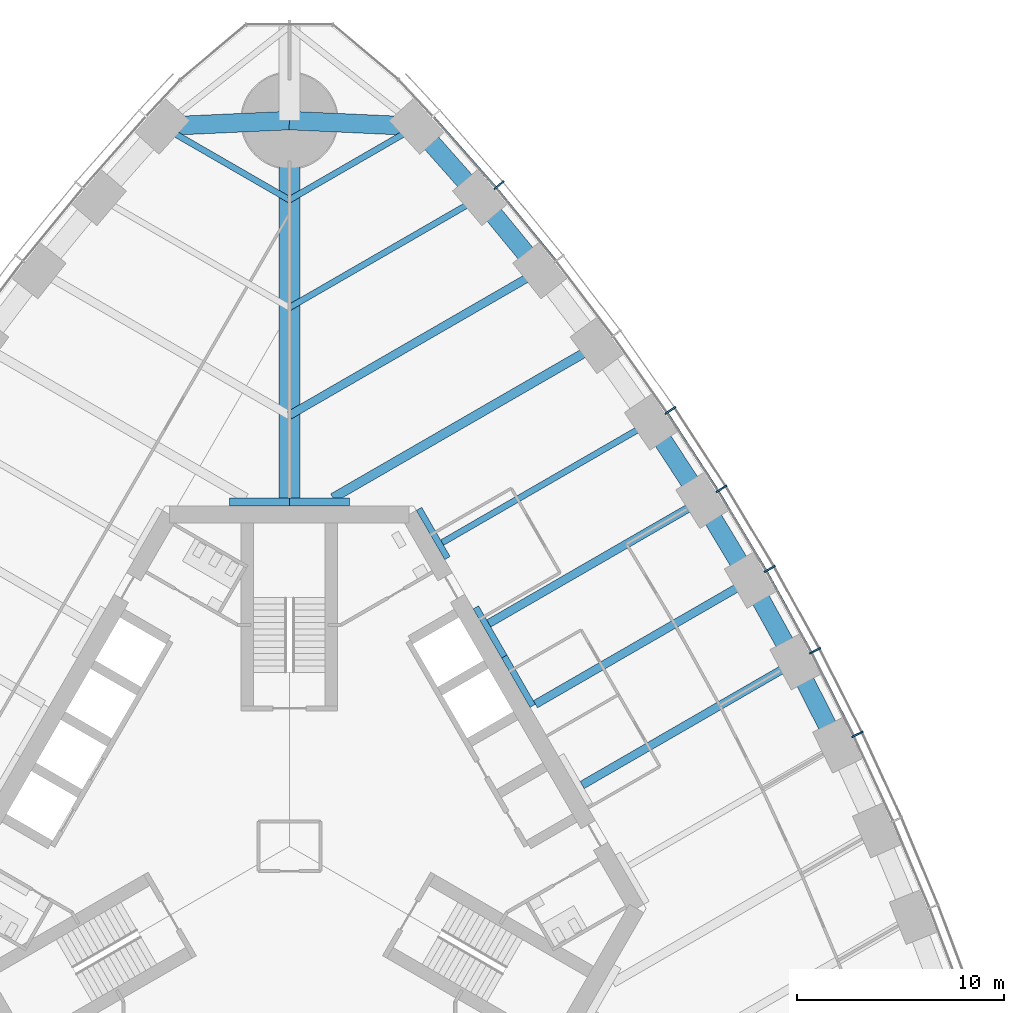
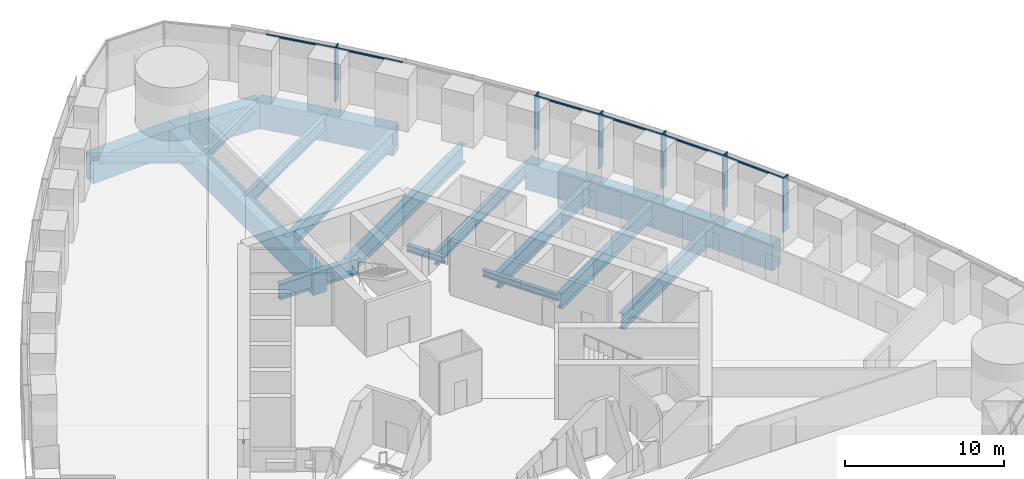
# One storey, part 5 of 18: 23 beams, 12 members, 1 element without a shape of its own.
"""IFC4 building model written with IfcOpenShell, lengths in metres."""

from ifc_helpers import new_model, si_unit, direction, frame, origin, origin_2d, place, context, subcontext, project, spatial, rectangle, i_section, extrude, material, material_profile, profile_set, type_object, element, aggregate, save


model = new_model("IFC4")

# Units and contexts
model_context = context("Model", 3, precision=1e-05, world=origin(), true_north=direction((0.0, 1.0)))
body_context = subcontext(model_context, "Body", "Model", "MODEL_VIEW")
ifc_project = project(units=[si_unit("LENGTHUNIT", "METRE"), si_unit("AREAUNIT", "SQUARE_METRE"), si_unit("VOLUMEUNIT", "CUBIC_METRE"), si_unit("PLANEANGLEUNIT", "RADIAN"), si_unit("MASSUNIT", "GRAM", prefix="KILO")], contexts=[model_context])

# Site, building, storey
site_placement = place(None, origin())
site = spatial("IfcSite", under=ifc_project, at=site_placement, CompositionType="ELEMENT")
building_placement = place(site_placement, origin())
building = spatial("IfcBuilding", under=site, at=building_placement, Name="Trefoil Bronze Tower", CompositionType="ELEMENT")
storey_placement = place(building_placement, frame((0.0, 0.0, 111.5)))
storey = spatial("IfcBuildingStorey", under=building, at=storey_placement, Name="L25", CompositionType="ELEMENT", Elevation=111.5)

# Curtain wall, members
ifc_material_1 = material(Name="Tinted solar-control glass", Category="glass")
curtain_wall_type = type_object("IfcCurtainWallType", Name="Bronze office curtain wall", PredefinedType="USERDEFINED", material=ifc_material_1)
curtain_wall_placement = place(storey_placement, origin())
curtain_wall = element("IfcCurtainWall", 1, at=curtain_wall_placement, inside=storey, type_object=curtain_wall_type, Name="CW-A L25 F2", ObjectType="CURTAIN WALL", PredefinedType="USERDEFINED")
ifc_material_2 = material(Name="Bronze-finish aluminium", Category="aluminium")
ifc_material_profile_1 = material_profile(ifc_material_2, rectangle(XDim=0.60009765625, YDim=0.080078125, at=origin_2d()), Name="CW-A mullion")
ifc_profile_set_1 = profile_set([ifc_material_profile_1], Name="Bronze-finish aluminium")
member_type_1 = type_object("IfcMemberType", Name="Bronze office curtain wall mullion", PredefinedType="MULLION", material=ifc_profile_set_1)
member_1_placement = place(storey_placement, frame((27.394775390625, 5.399169921875, 0.0), z_axis=(0.0, 0.0, 1.0), x_axis=(-0.899819602033, -0.436262173236, 0.0)))
member_1 = element("IfcMember", 2, at=member_1_placement, type_object=member_type_1, Name="CW-A L25 F2 mullion 6", PredefinedType="MULLION", context=body_context, shape_type="SweptSolid", body=[
    extrude(rectangle(XDim=0.60009765625, YDim=0.080078125, at=origin_2d()), origin(), (0.0, 0.0, 1.0), 4.179931640625),
])
member_2_placement = place(storey_placement, frame((25.350830078125, 9.427734375, 0.0), z_axis=(0.0, 0.0, 1.0), x_axis=(-0.883486441467, -0.468456729853, 0.0)))
member_2 = element("IfcMember", 3, at=member_2_placement, type_object=member_type_1, Name="CW-A L25 F2 mullion 7", PredefinedType="MULLION", context=body_context, shape_type="SweptSolid", body=[
    extrude(rectangle(XDim=0.60009765625, YDim=0.080078125, at=origin_2d()), origin(), (0.0, 0.0, 1.0), 4.179931640625),
])
member_3_placement = place(storey_placement, frame((23.166015625, 13.374755859375, 0.0), z_axis=(0.0, 0.0, 1.0), x_axis=(-0.866025403784, -0.5, 0.0)))
member_3 = element("IfcMember", 4, at=member_3_placement, type_object=member_type_1, Name="CW-A L25 F2 mullion 8", PredefinedType="MULLION", context=body_context, shape_type="SweptSolid", body=[
    extrude(rectangle(XDim=0.60009765625, YDim=0.080078125, at=origin_2d()), origin(), (0.0, 0.0, 1.0), 4.179931640625),
])
member_4_placement = place(storey_placement, frame((20.840087890625, 17.24072265625, 0.0), z_axis=(0.0, 0.0, 1.0), x_axis=(-0.84743864936, -0.530893337283, 0.0)))
member_4 = element("IfcMember", 5, at=member_4_placement, type_object=member_type_1, Name="CW-A L25 F2 mullion 9", PredefinedType="MULLION", context=body_context, shape_type="SweptSolid", body=[
    extrude(rectangle(XDim=0.60009765625, YDim=0.080078125, at=origin_2d()), origin(), (0.0, 0.0, 1.0), 4.179931640625),
])
member_5_placement = place(storey_placement, frame((18.373046875, 21.025146484375, 0.0), z_axis=(0.0, 0.0, 1.0), x_axis=(-0.827723925749, -0.561135547566, 0.0)))
member_5 = element("IfcMember", 6, at=member_5_placement, type_object=member_type_1, Name="CW-A L25 F2 mullion 10", PredefinedType="MULLION", context=body_context, shape_type="SweptSolid", body=[
    extrude(rectangle(XDim=0.60009765625, YDim=0.080078125, at=origin_2d()), origin(), (0.0, 0.0, 1.0), 4.179931640625),
])
member_6_placement = place(storey_placement, frame((10.11474609375, 31.8828125, 0.0), z_axis=(0.0, 0.0, 1.0), x_axis=(-0.761721651066, -0.647904411389, 0.0)))
member_6 = element("IfcMember", 7, at=member_6_placement, type_object=member_type_1, Name="CW-A L25 F2 mullion 13", PredefinedType="MULLION", context=body_context, shape_type="SweptSolid", body=[
    extrude(rectangle(XDim=0.60009765625, YDim=0.080078125, at=origin_2d()), origin(), (0.0, 0.0, 1.0), 4.179931640625),
])
ifc_material_3 = material(Name="Bronze-finish aluminium", Category="aluminium")
ifc_material_profile_2 = material_profile(ifc_material_3, rectangle(XDim=0.1201171875, YDim=0.10009765625, at=origin_2d()), Name="CW-A transom")
ifc_profile_set_2 = profile_set([ifc_material_profile_2], Name="Bronze-finish aluminium")
member_type_2 = type_object("IfcMemberType", Name="Bronze office curtain wall transom", PredefinedType="USERDEFINED", material=ifc_profile_set_2)
member_7_placement = place(storey_placement, frame((27.196044921875, 5.34912109375, 4.1298828125), z_axis=(-0.452478489814, 0.891775317138, 0.0), x_axis=(-0.891775317138, -0.452478489814, 0.0)))
member_7 = element("IfcMember", 8, at=member_7_placement, type_object=member_type_2, Name="CW-A L25 F2 transom 6", ObjectType="TRANSOM", PredefinedType="USERDEFINED", context=body_context, shape_type="SweptSolid", body=[
    extrude(rectangle(XDim=0.1201171875, YDim=0.10009765625, at=origin_2d()), origin(), (0.0, 0.0, 1.0), 4.426513671875),
])
member_8_placement = place(storey_placement, frame((25.154052734375, 9.37060546875, 4.1298828125), z_axis=(-0.484329470343, 0.874885686337, 0.0), x_axis=(-0.874885686337, -0.484329470343, 0.0)))
member_8 = element("IfcMember", 9, at=member_8_placement, type_object=member_type_2, Name="CW-A L25 F2 transom 7", ObjectType="TRANSOM", PredefinedType="USERDEFINED", context=body_context, shape_type="SweptSolid", body=[
    extrude(rectangle(XDim=0.1201171875, YDim=0.10009765625, at=origin_2d()), origin(), (0.0, 0.0, 1.0), 4.4208984375),
])
member_9_placement = place(storey_placement, frame((22.97119140625, 13.310546875, 4.1298828125), z_axis=(-0.515526794174, 0.856873458854, 0.0), x_axis=(-0.856873458854, -0.515526794174, 0.0)))
member_9 = element("IfcMember", 10, at=member_9_placement, type_object=member_type_2, Name="CW-A L25 F2 transom 8", ObjectType="TRANSOM", PredefinedType="USERDEFINED", context=body_context, shape_type="SweptSolid", body=[
    extrude(rectangle(XDim=0.1201171875, YDim=0.10009765625, at=origin_2d()), origin(), (0.0, 0.0, 1.0), 4.4208984375),
])
member_10_placement = place(storey_placement, frame((20.647705078125, 17.16943359375, 4.1298828125), z_axis=(-0.546079336226, 0.837733465099, 0.0), x_axis=(-0.837733465099, -0.546079336226, 0.0)))
member_10 = element("IfcMember", 11, at=member_10_placement, type_object=member_type_2, Name="CW-A L25 F2 transom 9", ObjectType="TRANSOM", PredefinedType="USERDEFINED", context=body_context, shape_type="SweptSolid", body=[
    extrude(rectangle(XDim=0.1201171875, YDim=0.10009765625, at=origin_2d()), origin(), (0.0, 0.0, 1.0), 4.426513671875),
])
member_11_placement = place(storey_placement, frame((12.82861328125, 28.255615234375, 4.1298828125), z_axis=(-0.633848872297, 0.773456919995, 0.0), x_axis=(-0.773456919995, -0.633848872297, 0.0)))
member_11 = element("IfcMember", 12, at=member_11_placement, type_object=member_type_2, Name="CW-A L25 F2 transom 12", ObjectType="TRANSOM", PredefinedType="USERDEFINED", context=body_context, shape_type="SweptSolid", body=[
    extrude(rectangle(XDim=0.1201171875, YDim=0.10009765625, at=origin_2d()), origin(), (0.0, 0.0, 1.0), 4.480224609375),
])
member_12_placement = place(storey_placement, frame((9.9345703125, 31.78466796875, 4.1298828125), z_axis=(-0.66173618877, 0.749736764786, 0.0), x_axis=(-0.749736764786, -0.66173618877, 0.0)))
member_12 = element("IfcMember", 13, at=member_12_placement, type_object=member_type_2, Name="CW-A L25 F2 transom 13", ObjectType="TRANSOM", PredefinedType="USERDEFINED", context=body_context, shape_type="SweptSolid", body=[
    extrude(rectangle(XDim=0.1201171875, YDim=0.10009765625, at=origin_2d()), origin(), (0.0, 0.0, 1.0), 4.510986328125),
])
aggregate(curtain_wall, [member_1, member_2, member_3, member_4, member_5, member_6, member_7, member_8, member_9, member_10, member_11, member_12])

# Beams
ifc_material_4 = material(Name="Steel C355", Category="steel")
ifc_material_profile_3 = material_profile(ifc_material_4, i_section(OverallWidth=0.300048828125, OverallDepth=0.5, WebThickness=0.014404296875, FlangeThickness=0.028076171875, FilletRadius=0.027099609375, at=origin_2d()), Name="HEB 500")
ifc_profile_set_3 = profile_set([ifc_material_profile_3], Name="Steel C355")
beam_type_1 = type_object("IfcBeamType", Name="Core seat beam HEB 500", PredefinedType="BEAM", material=ifc_profile_set_3)
for number, where, z_axis, x_axis, name in (
    (14, (11.734619140625, 6.77490234375, -0.449951171875), (-0.499969057507, 0.866043267704, 0.0), (-0.866043267704, -0.499969057507, 0.0), "Core seat beam F2/+0 L25"),
    (15, (10.363525390625, 9.14990234375, -0.449951171875), (-0.500035825175, 0.866004719122, 0.0), (-0.866004719122, -0.500035825175, 0.0), "Core seat beam F2/+1 L25"),
    (16, (7.62109375, 13.89990234375, -0.449951171875), (-0.500035825175, 0.866004719122, 0.0), (-0.866004719122, -0.500035825175, 0.0), "Core seat beam F2/+2 L25"),
):
    element("IfcBeam", number, at=place(storey_placement, frame(where, z_axis=z_axis, x_axis=x_axis)), inside=storey, type_object=beam_type_1, Name=name, PredefinedType="BEAM", context=body_context, shape_type="SweptSolid", body=[
        extrude(i_section(OverallWidth=0.300048828125, OverallDepth=0.5, WebThickness=0.014404296875, FlangeThickness=0.028076171875, FilletRadius=0.027099609375, at=origin_2d()), origin(), (0.0, 0.0, 1.0), 2.742431640625),
    ])
ifc_material_5 = material(Name="Steel C355", Category="steel")
ifc_material_profile_4 = material_profile(ifc_material_5, i_section(OverallWidth=0.39990234375, OverallDepth=1.199951171875, WebThickness=0.02001953125, FlangeThickness=0.0400390625, FilletRadius=0.010009765625, at=origin_2d()), Name="WPG 1200")
ifc_profile_set_4 = profile_set([ifc_material_profile_4], Name="Steel C355")
beam_type_2 = type_object("IfcBeamType", Name="Core seat beam WPG 1200", PredefinedType="BEAM", material=ifc_profile_set_4)
for number, where, z_axis, x_axis, name in (
    (17, (2.88671875, 16.60009765625, -0.800048828125), (-1.0, 0.0, 0.0), (0.0, -1.0, 0.0), "Core seat beam F2/+3 L25"),
    (18, (0.0, 16.60009765625, -0.800048828125), (-1.0, 0.0, 0.0), (0.0, -1.0, 0.0), "Core seat beam F3/-3 L25"),
):
    element("IfcBeam", number, at=place(storey_placement, frame(where, z_axis=z_axis, x_axis=x_axis)), inside=storey, type_object=beam_type_2, Name=name, PredefinedType="BEAM", context=body_context, shape_type="SweptSolid", body=[
        extrude(i_section(OverallWidth=0.39990234375, OverallDepth=1.199951171875, WebThickness=0.02001953125, FlangeThickness=0.0400390625, FilletRadius=0.010009765625, at=origin_2d()), origin(), (0.0, 0.0, 1.0), 2.88671875),
    ])
ifc_material_6 = material(Name="Concrete B80", Category="concrete")
ifc_material_profile_5 = material_profile(ifc_material_6, rectangle(XDim=1.0, YDim=1.699951171875, at=origin_2d()), Name="RC 1000x1700")
ifc_profile_set_5 = profile_set([ifc_material_profile_5], Name="Concrete B80")
beam_type_3 = type_object("IfcBeamType", Name="Corner girder RC 1000x1700", PredefinedType="BEAM", material=ifc_profile_set_5)
beam_1_placement = place(storey_placement, frame((0.0, 16.39990234375, -1.050048828125), z_axis=(0.0, 1.0, 0.0), x_axis=(-1.0, 0.0, 0.0)))
element("IfcBeam", 19, at=beam_1_placement, inside=storey, type_object=beam_type_3, Name="Corner girder K2 L25", PredefinedType="BEAM", context=body_context, shape_type="SweptSolid", body=[
    extrude(rectangle(XDim=1.0, YDim=1.699951171875, at=origin_2d()), origin(), (0.0, 0.0, 1.0), 18.60009765625),
])
ifc_material_7 = material(Name="Concrete B80", Category="concrete")
ifc_material_profile_6 = material_profile(ifc_material_7, rectangle(XDim=0.89990234375, YDim=2.0, at=origin_2d()), Name="RC 900x2000")
ifc_profile_set_6 = profile_set([ifc_material_profile_6], Name="Concrete B80")
beam_type_4 = type_object("IfcBeamType", Name="End spandrel beam RC 900x2000", PredefinedType="SPANDREL", material=ifc_profile_set_6)
for number, where, z_axis, x_axis, name in (
    (20, (6.13916015625, 34.72119140625, -1.199951171875), (-0.998970341464, 0.045368015985, 0.0), (-0.045368015985, -0.998970341464, 0.0), "Spandrel F2.14 L25"),
    (21, (0.0, 35.0, -1.199951171875), (-0.998970341464, -0.045368015985, 0.0), (0.045368015985, -0.998970341464, 0.0), "Spandrel F3.1 L25"),
):
    element("IfcBeam", number, at=place(storey_placement, frame(where, z_axis=z_axis, x_axis=x_axis)), inside=storey, type_object=beam_type_4, Name=name, PredefinedType="SPANDREL", context=body_context, shape_type="SweptSolid", body=[
        extrude(rectangle(XDim=0.89990234375, YDim=2.0, at=origin_2d()), origin(), (0.0, 0.0, 1.0), 6.1455078125),
    ])
ifc_material_8 = material(Name="Steel C355", Category="steel")
ifc_material_profile_7 = material_profile(ifc_material_8, i_section(OverallWidth=0.300048828125, OverallDepth=1.0, WebThickness=0.01904296875, FlangeThickness=0.035888671875, FilletRadius=0.030029296875, at=origin_2d()), Name="HEB 1000")
ifc_profile_set_7 = profile_set([ifc_material_profile_7], Name="Steel C355")
beam_type_5 = type_object("IfcBeamType", Name="Floor beam HEB 1000", PredefinedType="BEAM", material=ifc_profile_set_7)
beam_2_placement = place(storey_placement, frame((9.181884765625, 31.281982421875, -0.699951171875), z_axis=(-0.866021079084, -0.500007490527, 0.0), x_axis=(0.500007490527, -0.866021079084, 0.0)))
element("IfcBeam", 22, at=beam_2_placement, inside=storey, type_object=beam_type_5, Name="Floor beam F2/+5 L25", PredefinedType="BEAM", context=body_context, shape_type="SweptSolid", body=[
    extrude(i_section(OverallWidth=0.300048828125, OverallDepth=1.0, WebThickness=0.01904296875, FlangeThickness=0.035888671875, FilletRadius=0.030029296875, at=origin_2d()), origin(), (0.0, 0.0, 1.0), 10.602294921875),
])
ifc_material_9 = material(Name="Steel C355", Category="steel")
ifc_material_profile_8 = material_profile(ifc_material_9, i_section(OverallWidth=0.300048828125, OverallDepth=0.60009765625, WebThickness=0.015380859375, FlangeThickness=0.030029296875, FilletRadius=0.027099609375, at=origin_2d()), Name="HEB 600")
ifc_profile_set_8 = profile_set([ifc_material_profile_8], Name="Steel C355")
beam_type_6 = type_object("IfcBeamType", Name="Floor beam HEB 600", PredefinedType="BEAM", material=ifc_profile_set_8)
for number, where, z_axis, x_axis, name in (
    (23, (6.13916015625, 34.72119140625, -0.5), (-0.866041060244, -0.499972881236, 0.0), (0.499972881236, -0.866041060244, 0.0), "Floor beam F2/+6 L25"),
    (24, (-6.13916015625, 34.72119140625, -0.5), (0.866041060244, -0.499972881236, 0.0), (0.499972881236, 0.866041060244, 0.0), "Floor beam F3/-6 L25"),
):
    element("IfcBeam", number, at=place(storey_placement, frame(where, z_axis=z_axis, x_axis=x_axis)), inside=storey, type_object=beam_type_6, Name=name, PredefinedType="BEAM", context=body_context, shape_type="SweptSolid", body=[
        extrude(i_section(OverallWidth=0.300048828125, OverallDepth=0.60009765625, WebThickness=0.015380859375, FlangeThickness=0.030029296875, FilletRadius=0.027099609375, at=origin_2d()), origin(), (0.0, 0.0, 1.0), 7.0888671875),
    ])
ifc_material_10 = material(Name="Steel C355", Category="steel")
ifc_material_profile_9 = material_profile(ifc_material_10, i_section(OverallWidth=0.302001953125, OverallDepth=1.008056640625, WebThickness=0.02099609375, FlangeThickness=0.0400390625, FilletRadius=0.030029296875, at=origin_2d()), Name="HEM 1000")
ifc_profile_set_9 = profile_set([ifc_material_profile_9], Name="Steel C355")
beam_type_7 = type_object("IfcBeamType", Name="Floor beam HEM 1000", PredefinedType="BEAM", material=ifc_profile_set_9)
beam_3_placement = place(storey_placement, frame((17.43017578125, 20.45556640625, -0.7041015625), z_axis=(-0.866030626868, -0.499990953245, 0.0), x_axis=(0.499990953245, -0.866030626868, 0.0)))
element("IfcBeam", 25, at=beam_3_placement, inside=storey, type_object=beam_type_7, Name="Floor beam F2/+2 L25", PredefinedType="BEAM", context=body_context, shape_type="SweptSolid", body=[
    extrude(i_section(OverallWidth=0.302001953125, OverallDepth=1.008056640625, WebThickness=0.02099609375, FlangeThickness=0.0400390625, FilletRadius=0.030029296875, at=origin_2d()), origin(), (0.0, 0.0, 1.0), 11.622802734375),
])
ifc_material_11 = material(Name="Steel C355", Category="steel")
ifc_material_profile_10 = material_profile(ifc_material_11, i_section(OverallWidth=0.39990234375, OverallDepth=1.199951171875, WebThickness=0.02001953125, FlangeThickness=0.0400390625, FilletRadius=0.010009765625, at=origin_2d()), Name="WPG 1200")
ifc_profile_set_10 = profile_set([ifc_material_profile_10], Name="Steel C355")
beam_type_8 = type_object("IfcBeamType", Name="Floor beam WPG 1200", PredefinedType="BEAM", material=ifc_profile_set_10)
beam_4_placement = place(storey_placement, frame((24.392578125, 8.886962890625, -0.800048828125), z_axis=(-0.866024236736, -0.500002021381, 0.0), x_axis=(0.500002021381, -0.866024236736, 0.0)))
element("IfcBeam", 26, at=beam_4_placement, inside=storey, type_object=beam_type_8, Name="Floor beam F2/-1 L25", PredefinedType="BEAM", context=body_context, shape_type="SweptSolid", body=[
    extrude(i_section(OverallWidth=0.39990234375, OverallDepth=1.199951171875, WebThickness=0.02001953125, FlangeThickness=0.0400390625, FilletRadius=0.010009765625, at=origin_2d()), origin(), (0.0, 0.0, 1.0), 11.8681640625),
])
beam_5_placement = place(storey_placement, frame((22.21337890625, 12.824951171875, -0.800048828125), z_axis=(-0.866028062731, -0.499995394541, 0.0), x_axis=(0.499995394541, -0.866028062731, 0.0)))
element("IfcBeam", 27, at=beam_5_placement, inside=storey, type_object=beam_type_8, Name="Floor beam F2/+0 L25", PredefinedType="BEAM", context=body_context, shape_type="SweptSolid", body=[
    extrude(i_section(OverallWidth=0.39990234375, OverallDepth=1.199951171875, WebThickness=0.02001953125, FlangeThickness=0.0400390625, FilletRadius=0.010009765625, at=origin_2d()), origin(), (0.0, 0.0, 1.0), 11.94970703125),
])
beam_6_placement = place(storey_placement, frame((19.892578125, 16.68115234375, -0.800048828125), z_axis=(-0.866024236736, -0.500002021381, 0.0), x_axis=(0.500002021381, -0.866024236736, 0.0)))
element("IfcBeam", 28, at=beam_6_placement, inside=storey, type_object=beam_type_8, Name="Floor beam F2/+1 L25", PredefinedType="BEAM", context=body_context, shape_type="SweptSolid", body=[
    extrude(i_section(OverallWidth=0.39990234375, OverallDepth=1.199951171875, WebThickness=0.02001953125, FlangeThickness=0.0400390625, FilletRadius=0.010009765625, at=origin_2d()), origin(), (0.0, 0.0, 1.0), 11.8681640625),
])
beam_7_placement = place(storey_placement, frame((12.07666015625, 27.757080078125, -0.800048828125), z_axis=(-0.866026983775, -0.499997263366, 0.0), x_axis=(0.499997263366, -0.866026983775, 0.0)))
element("IfcBeam", 29, at=beam_7_placement, inside=storey, type_object=beam_type_8, Name="Floor beam F2/+4 L25", PredefinedType="BEAM", context=body_context, shape_type="SweptSolid", body=[
    extrude(i_section(OverallWidth=0.39990234375, OverallDepth=1.199951171875, WebThickness=0.02001953125, FlangeThickness=0.0400390625, FilletRadius=0.010009765625, at=origin_2d()), origin(), (0.0, 0.0, 1.0), 13.94482421875),
])
ifc_material_12 = material(Name="Steel C355", Category="steel")
ifc_material_profile_11 = material_profile(ifc_material_12, i_section(OverallWidth=0.449951171875, OverallDepth=1.39990234375, WebThickness=0.02294921875, FlangeThickness=0.044921875, FilletRadius=0.011962890625, at=origin_2d()), Name="WPG 1400")
ifc_profile_set_11 = profile_set([ifc_material_profile_11], Name="Steel C355")
beam_type_9 = type_object("IfcBeamType", Name="Floor beam WPG 1400", PredefinedType="BEAM", material=ifc_profile_set_11)
beam_8_placement = place(storey_placement, frame((14.825439453125, 24.14794921875, -0.89990234375), z_axis=(-0.866027342682, -0.499996641717, 0.0), x_axis=(0.499996641717, -0.866027342682, 0.0)))
element("IfcBeam", 30, at=beam_8_placement, inside=storey, type_object=beam_type_9, Name="Floor beam F2/+3 L25", PredefinedType="BEAM", context=body_context, shape_type="SweptSolid", body=[
    extrude(i_section(OverallWidth=0.449951171875, OverallDepth=1.39990234375, WebThickness=0.02294921875, FlangeThickness=0.044921875, FilletRadius=0.011962890625, at=origin_2d()), origin(), (0.0, 0.0, 1.0), 14.69580078125),
])
ifc_material_13 = material(Name="Concrete B80", Category="concrete")
ifc_material_profile_12 = material_profile(ifc_material_13, rectangle(XDim=0.89990234375, YDim=2.0, at=origin_2d()), Name="RC 900x2000")
ifc_profile_set_12 = profile_set([ifc_material_profile_12], Name="Concrete B80")
beam_type_10 = type_object("IfcBeamType", Name="Spandrel beam RC 900x2000", PredefinedType="SPANDREL", material=ifc_profile_set_12)
beam_9_placement = place(storey_placement, frame((26.43017578125, 4.8671875, -1.199951171875), z_axis=(-0.452125717735, 0.891954222683, 0.0), x_axis=(-0.891954222683, -0.452125717735, 0.0)))
element("IfcBeam", 31, at=beam_9_placement, inside=storey, type_object=beam_type_10, Name="Spandrel F2.6 L25", PredefinedType="SPANDREL", context=body_context, shape_type="SweptSolid", body=[
    extrude(rectangle(XDim=0.89990234375, YDim=2.0, at=origin_2d()), origin(), (0.0, 0.0, 1.0), 4.506591796875),
])
for number, where, z_axis, x_axis, name in (
    (32, (24.392578125, 8.886962890625, -1.199951171875), (-0.484186866546, 0.874964615436, 0.0), (-0.874964615436, -0.484186866546, 0.0), "Spandrel F2.7 L25"),
    (33, (22.21337890625, 12.824951171875, -1.199951171875), (-0.515651979972, 0.856798129988, 0.0), (-0.856798129988, -0.515651979972, 0.0), "Spandrel F2.8 L25"),
):
    element("IfcBeam", number, at=place(storey_placement, frame(where, z_axis=z_axis, x_axis=x_axis)), inside=storey, type_object=beam_type_10, Name=name, PredefinedType="SPANDREL", context=body_context, shape_type="SweptSolid", body=[
        extrude(rectangle(XDim=0.89990234375, YDim=2.0, at=origin_2d()), origin(), (0.0, 0.0, 1.0), 4.500732421875),
    ])
beam_10_placement = place(storey_placement, frame((19.892578125, 16.68115234375, -1.199951171875), z_axis=(-0.546396670296, 0.83752652417, 0.0), x_axis=(-0.83752652417, -0.546396670296, 0.0)))
element("IfcBeam", 34, at=beam_10_placement, inside=storey, type_object=beam_type_10, Name="Spandrel F2.9 L25", PredefinedType="SPANDREL", context=body_context, shape_type="SweptSolid", body=[
    extrude(rectangle(XDim=0.89990234375, YDim=2.0, at=origin_2d()), origin(), (0.0, 0.0, 1.0), 4.506591796875),
])
beam_11_placement = place(storey_placement, frame((12.07666015625, 27.757080078125, -1.199951171875), z_axis=(-0.634650386838, 0.772799383079, 0.0), x_axis=(-0.772799383079, -0.634650386838, 0.0)))
element("IfcBeam", 35, at=beam_11_placement, inside=storey, type_object=beam_type_10, Name="Spandrel F2.12 L25", PredefinedType="SPANDREL", context=body_context, shape_type="SweptSolid", body=[
    extrude(rectangle(XDim=0.89990234375, YDim=2.0, at=origin_2d()), origin(), (0.0, 0.0, 1.0), 4.561279296875),
])
beam_12_placement = place(storey_placement, frame((9.181884765625, 31.281982421875, -1.199951171875), z_axis=(-0.662616326239, 0.748959013699, 0.0), x_axis=(-0.748959013699, -0.662616326239, 0.0)))
element("IfcBeam", 36, at=beam_12_placement, inside=storey, type_object=beam_type_10, Name="Spandrel F2.13 L25", PredefinedType="SPANDREL", context=body_context, shape_type="SweptSolid", body=[
    extrude(rectangle(XDim=0.89990234375, YDim=2.0, at=origin_2d()), origin(), (0.0, 0.0, 1.0), 4.592041015625),
])

save(model, "model.ifc")
